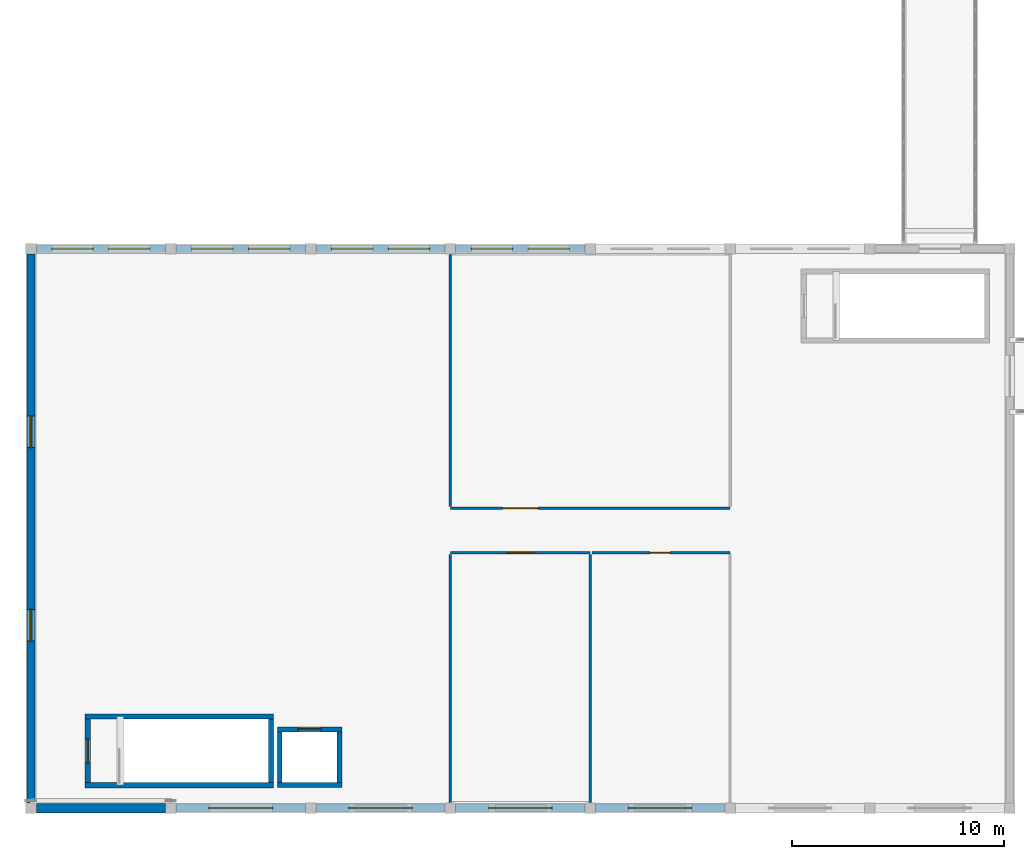
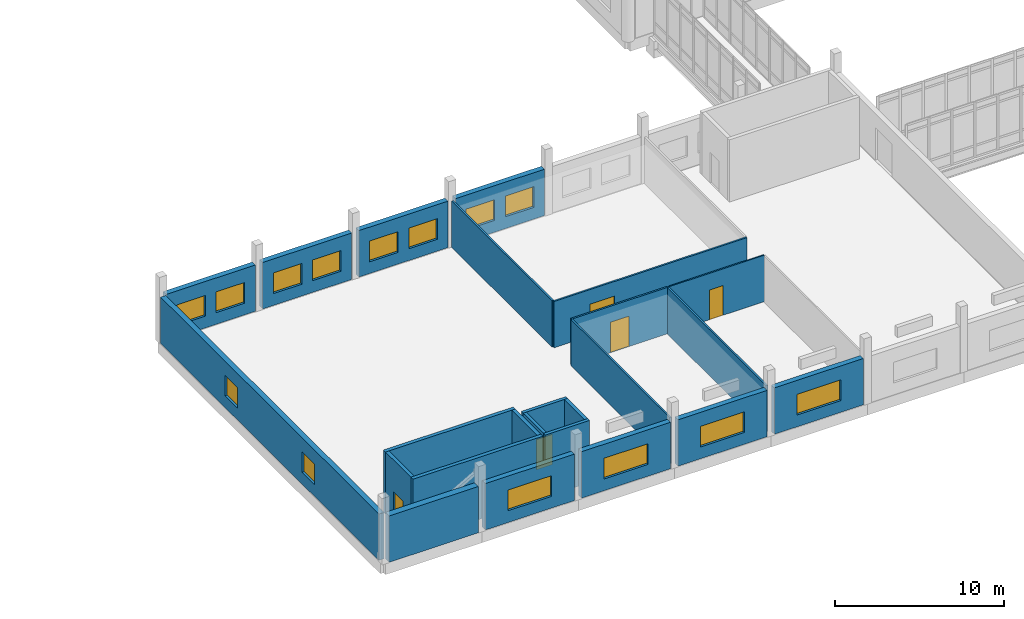
# One storey, part 65 of 101: 24 walls, 14 windows, 5 doors, 19 openings.
"""IFC4 building model written with IfcOpenShell, lengths in metres."""

from ifc_helpers import new_model, si_unit, direction, frame, frame_2d, origin, place, context, subcontext, project, spatial, rectangle, extrude, material, layer, layer_set, type_object, element, fill, save


model = new_model("IFC4")

# Units and contexts
model_context = context("Model", 3, precision=1e-05, world=origin(), true_north=direction((0.0, 1.0)))
body_context = subcontext(model_context, "Body", "Model", "MODEL_VIEW")
ifc_project = project(units=[si_unit("LENGTHUNIT", "METRE"), si_unit("AREAUNIT", "SQUARE_METRE"), si_unit("VOLUMEUNIT", "CUBIC_METRE"), si_unit("PLANEANGLEUNIT", "RADIAN"), si_unit("MASSUNIT", "GRAM", prefix="KILO")], contexts=[model_context])

# Site, building, storey
site_placement = place(None, origin())
site = spatial("IfcSite", under=ifc_project, at=site_placement, CompositionType="ELEMENT")
building_placement = place(site_placement, origin())
building = spatial("IfcBuilding", under=site, at=building_placement, Name="Dornvale Research Institute", CompositionType="ELEMENT")
storey_placement = place(building_placement, frame((0.0, 0.0, 10.199951171875)))
storey = spatial("IfcBuildingStorey", under=building, at=storey_placement, Name="L02", CompositionType="ELEMENT", Elevation=10.199951171875)

# Wall, opening, door
ifc_material_1 = material(Name="Acoustic Insulated Double-Stud Laboratory Partition")
ifc_layer_1 = layer(ifc_material_1, 0.1201171875)
ifc_layer_set_1 = layer_set([ifc_layer_1], Name="Acoustic Insulated Double-Stud Laboratory Partition")
wall_type_1 = type_object("IfcWallType", Name="Partition_Dry_120", PredefinedType="PARTITIONING", material=ifc_layer_set_1)
wall_1_placement = place(storey_placement, frame((19.800048828125, 14.14990234375, 0.0), z_axis=(0.0, 0.0, 1.0), x_axis=(1.0, 0.0, 0.0)))
wall_1 = element("IfcWall", 1, at=wall_1_placement, inside=storey, type_object=wall_type_1, Name="L02 V1 interior partition #317", PredefinedType="PARTITIONING", context=body_context, shape_type="SweptSolid", body=[
    extrude(rectangle(XDim=13.199951171875, YDim=0.1201171875, at=frame_2d((6.60009765625, 0.0))), origin(), (0.0, 0.0, 1.0), 3.360107421875),
])
opening_1_placement = place(wall_1_placement, frame((2.4599609375, 0.0, 0.0)))
opening_1 = element("IfcOpeningElement", 2, at=opening_1_placement, cuts=wall_1, Name="Opening ID-11", PredefinedType="OPENING", context=body_context, shape_type="SweptSolid", body=[
    extrude(rectangle(XDim=1.679931640625, YDim=2.300048828125, at=frame_2d((0.83984375, 1.14990234375))), frame((0.0, 0.074951171875, 0.0), z_axis=(0.0, -1.0, 0.0), x_axis=(1.0, 0.0, 0.0)), (0.0, 0.0, 1.0), 0.150146484375),
])
ifc_material_2 = material(Name="Phenolic-Faced Solid-Core Laboratory Door Assembly")
door_type_1 = type_object("IfcDoorType", Name="Door_Seminar_1680x2300", OperationType="SINGLE_SWING_LEFT", PredefinedType="DOOR", material=ifc_material_2)
door_1_placement = place(opening_1_placement, origin())
door_1 = element("IfcDoor", 3, at=door_1_placement, inside=storey, type_object=door_type_1, Name="L02 Acoustical Symposium Hall door #127", OperationType="DOUBLE_DOOR_SINGLE_SWING", OverallHeight=2.300048828125, OverallWidth=1.679931640625, PredefinedType="DOOR", context=body_context, shape_type="SweptSolid", body=[
    extrude(rectangle(XDim=1.679931640625, YDim=2.300048828125, at=frame_2d((0.83984375, 1.14990234375))), frame((0.0, 0.02490234375, 0.0), z_axis=(0.0, -1.0, 0.0), x_axis=(1.0, 0.0, 0.0)), (0.0, 0.0, 1.0), 0.050048828125),
])
fill(opening_1, door_1)

# Wall
wall_2_placement = place(storey_placement, frame((19.800048828125, 14.22509765625, 0.0), z_axis=(0.0, 0.0, 1.0), x_axis=(0.0, 1.0, 0.0)))
element("IfcWall", 4, at=wall_2_placement, inside=storey, type_object=wall_type_1, Name="L02 V1 interior partition #318", PredefinedType="PARTITIONING", context=body_context, shape_type="SweptSolid", body=[
    extrude(rectangle(XDim=11.90478515625, YDim=0.1201171875, at=frame_2d((5.952392578125, 0.0))), origin(), (0.0, 0.0, 1.0), 3.360107421875),
])

# Wall, opening, door
wall_3_placement = place(storey_placement, frame((19.800048828125, 12.050048828125, 0.0), z_axis=(0.0, 0.0, 1.0), x_axis=(1.0, 0.0, 0.0)))
wall_3 = element("IfcWall", 5, at=wall_3_placement, inside=storey, type_object=wall_type_1, Name="L02 V1 interior partition #320", PredefinedType="PARTITIONING", context=body_context, shape_type="SweptSolid", body=[
    extrude(rectangle(XDim=6.599853515625, YDim=0.1201171875, at=frame_2d((3.2998046875, 0.0))), origin(), (0.0, 0.0, 1.0), 3.360107421875),
])
opening_2_placement = place(wall_3_placement, frame((2.669921875, 0.0, 0.0)))
opening_2 = element("IfcOpeningElement", 6, at=opening_2_placement, cuts=wall_3, Name="Opening ID-10", PredefinedType="OPENING", context=body_context, shape_type="SweptSolid", body=[
    extrude(rectangle(XDim=1.260009765625, YDim=2.199951171875, at=frame_2d((0.6298828125, 1.10009765625))), frame((0.0, 0.074951171875, 0.0), z_axis=(0.0, -1.0, 0.0), x_axis=(1.0, 0.0, 0.0)), (0.0, 0.0, 1.0), 0.150146484375),
])
ifc_material_3 = material(Name="Phenolic-Faced Solid-Core Laboratory Door Assembly")
door_type_2 = type_object("IfcDoorType", Name="Door_DryLab_1260x2200", OperationType="SINGLE_SWING_LEFT", PredefinedType="DOOR", material=ifc_material_3)
door_2_placement = place(opening_2_placement, origin())
door_2 = element("IfcDoor", 7, at=door_2_placement, inside=storey, type_object=door_type_2, Name="L02 Scientific Broadcast and Recording Laboratory door #128", OperationType="SINGLE_SWING_LEFT", OverallHeight=2.199951171875, OverallWidth=1.260009765625, PredefinedType="DOOR", context=body_context, shape_type="SweptSolid", body=[
    extrude(rectangle(XDim=1.260009765625, YDim=2.199951171875, at=frame_2d((0.6298828125, 1.10009765625))), frame((0.0, 0.02490234375, 0.0), z_axis=(0.0, -1.0, 0.0), x_axis=(1.0, 0.0, 0.0)), (0.0, 0.0, 1.0), 0.050048828125),
])
fill(opening_2, door_2)

# Walls
for number, where, z_axis, x_axis, name in (
    (8, (19.800048828125, 0.27001953125, 0.0), (0.0, 0.0, 1.0), (0.0, 1.0, 0.0), "L02 V1 interior partition #321"),
    (9, (26.39990234375, 0.27001953125, 0.0), (0.0, 0.0, 1.0), (0.0, 1.0, 0.0), "L02 V1 interior partition #322"),
):
    element("IfcWall", number, at=place(storey_placement, frame(where, z_axis=z_axis, x_axis=x_axis)), inside=storey, type_object=wall_type_1, Name=name, PredefinedType="PARTITIONING", context=body_context, shape_type="SweptSolid", body=[
        extrude(rectangle(XDim=11.705078125, YDim=0.1201171875, at=frame_2d((5.8525390625, 0.0))), origin(), (0.0, 0.0, 1.0), 3.360107421875),
    ])

# Wall, opening, door
ifc_material_4 = material(Name="Acoustic Insulated Double-Stud Laboratory Partition")
ifc_layer_2 = layer(ifc_material_4, 0.10009765625)
ifc_layer_set_2 = layer_set([ifc_layer_2], Name="Acoustic Insulated Double-Stud Laboratory Partition")
wall_type_2 = type_object("IfcWallType", Name="Partition_Office_100", PredefinedType="PARTITIONING", material=ifc_layer_set_2)
wall_4_placement = place(storey_placement, frame((26.47509765625, 12.050048828125, 0.0), z_axis=(0.0, 0.0, 1.0), x_axis=(1.0, 0.0, 0.0)))
wall_4 = element("IfcWall", 10, at=wall_4_placement, inside=storey, type_object=wall_type_2, Name="L02 V1 interior partition #323", PredefinedType="PARTITIONING", context=body_context, shape_type="SweptSolid", body=[
    extrude(rectangle(XDim=6.52490234375, YDim=0.10009765625, at=frame_2d((3.262451171875, 0.0))), origin(), (0.0, 0.0, 1.0), 3.360107421875),
])
opening_3_placement = place(wall_4_placement, frame((2.75, 0.0, 0.0)))
opening_3 = element("IfcOpeningElement", 11, at=opening_3_placement, cuts=wall_4, Name="Opening ID-23", PredefinedType="OPENING", context=body_context, shape_type="SweptSolid", body=[
    extrude(rectangle(XDim=0.949951171875, YDim=2.14990234375, at=frame_2d((0.47509765625, 1.074951171875))), frame((0.0, 0.06494140625, 0.0), z_axis=(0.0, -1.0, 0.0), x_axis=(1.0, 0.0, 0.0)), (0.0, 0.0, 1.0), 0.130126953125),
])
ifc_material_5 = material(Name="Phenolic-Faced Solid-Core Laboratory Door Assembly")
door_type_3 = type_object("IfcDoorType", Name="Door_WC_950x2150", OperationType="SINGLE_SWING_LEFT", PredefinedType="DOOR", material=ifc_material_5)
door_3_placement = place(opening_3_placement, origin())
door_3 = element("IfcDoor", 12, at=door_3_placement, inside=storey, type_object=door_type_3, Name="L02 Symposium Accessible Restroom L02 door #129", OperationType="SINGLE_SWING_RIGHT", OverallHeight=2.14990234375, OverallWidth=0.949951171875, PredefinedType="DOOR", context=body_context, shape_type="SweptSolid", body=[
    extrude(rectangle(XDim=0.949951171875, YDim=2.14990234375, at=frame_2d((0.47509765625, 1.074951171875))), frame((0.0, 0.02490234375, 0.0), z_axis=(0.0, -1.0, 0.0), x_axis=(1.0, 0.0, 0.0)), (0.0, 0.0, 1.0), 0.050048828125),
])
fill(opening_3, door_3)

# Walls
ifc_material_6 = material(Name="Concrete f'c 45 MPa (C35/45)", Category="concrete")
ifc_layer_3 = layer(ifc_material_6, 0.25)
ifc_layer_set_3 = layer_set([ifc_layer_3], Name="Concrete f'c 45 MPa (C35/45)")
wall_type_3 = type_object("IfcWallType", Name="ShearWall_Core_250", PredefinedType="SHEAR", material=ifc_layer_set_3)
for number, where, z_axis, x_axis, name in (
    (13, (2.550048828125, 1.074951171875, 0.0), (0.0, 0.0, 1.0), (1.0, 0.0, 0.0), "L02 ST-9 shaft shear wall south"),
    (14, (2.550048828125, 4.324951171875, 0.0), (0.0, 0.0, 1.0), (1.0, 0.0, 0.0), "L02 ST-9 shaft shear wall north"),
):
    element("IfcWall", number, at=place(storey_placement, frame(where, z_axis=z_axis, x_axis=x_axis)), inside=storey, type_object=wall_type_3, Name=name, PredefinedType="SHEAR", context=body_context, shape_type="SweptSolid", body=[
        extrude(rectangle(XDim=8.89990234375, YDim=0.25, at=frame_2d((4.449951171875, 0.0))), origin(), (0.0, 0.0, 1.0), 4.5),
    ])

# Wall, opening, door
wall_5_placement = place(storey_placement, frame((2.675048828125, 1.199951171875, 0.0), z_axis=(0.0, 0.0, 1.0), x_axis=(0.0, 1.0, 0.0)))
wall_5 = element("IfcWall", 15, at=wall_5_placement, inside=storey, type_object=wall_type_3, Name="L02 ST-9 shaft shear wall west", PredefinedType="SHEAR", context=body_context, shape_type="SweptSolid", body=[
    extrude(rectangle(XDim=3.0, YDim=0.25, at=frame_2d((1.5, 0.0))), origin(), (0.0, 0.0, 1.0), 4.5),
])
opening_4_placement = place(wall_5_placement, frame((0.93994140625, 0.0, 0.0)))
opening_4 = element("IfcOpeningElement", 16, at=opening_4_placement, cuts=wall_5, Name="Opening SD-01", PredefinedType="OPENING", context=body_context, shape_type="SweptSolid", body=[
    extrude(rectangle(XDim=1.1201171875, YDim=2.199951171875, at=frame_2d((0.56005859375, 1.10009765625))), frame((0.0, 0.139892578125, 0.0), z_axis=(0.0, -1.0, 0.0), x_axis=(1.0, 0.0, 0.0)), (0.0, 0.0, 1.0), 0.280029296875),
])
ifc_material_7 = material(Name="Insulated Fire-Rated Hollow Metal Door Assembly")
door_type_4 = type_object("IfcDoorType", Name="Door_Stair_1120x2200", OperationType="SINGLE_SWING_LEFT", PredefinedType="DOOR", material=ifc_material_7)
door_4_placement = place(opening_4_placement, origin())
door_4 = element("IfcDoor", 17, at=door_4_placement, inside=storey, type_object=door_type_4, Name="L02 ST-9 exit stair door #61", OperationType="SINGLE_SWING_RIGHT", OverallHeight=2.199951171875, OverallWidth=1.1201171875, PredefinedType="DOOR", context=body_context, shape_type="SweptSolid", body=[
    extrude(rectangle(XDim=1.1201171875, YDim=2.199951171875, at=frame_2d((0.56005859375, 1.10009765625))), frame((0.0, 0.02490234375, 0.0), z_axis=(0.0, -1.0, 0.0), x_axis=(1.0, 0.0, 0.0)), (0.0, 0.0, 1.0), 0.050048828125),
])
fill(opening_4, door_4)

# Walls
wall_6_placement = place(storey_placement, frame((11.324951171875, 1.199951171875, 0.0), z_axis=(0.0, 0.0, 1.0), x_axis=(0.0, 1.0, 0.0)))
element("IfcWall", 18, at=wall_6_placement, inside=storey, type_object=wall_type_3, Name="L02 ST-9 shaft shear wall east", PredefinedType="SHEAR", context=body_context, shape_type="SweptSolid", body=[
    extrude(rectangle(XDim=3.0, YDim=0.25, at=frame_2d((1.5, 0.0))), origin(), (0.0, 0.0, 1.0), 4.5),
])
ifc_material_8 = material(Name="Concrete f'c 45 MPa (C35/45)", Category="concrete")
ifc_layer_4 = layer(ifc_material_8, 0.219970703125)
ifc_layer_set_4 = layer_set([ifc_layer_4], Name="Concrete f'c 45 MPa (C35/45)")
wall_type_4 = type_object("IfcWallType", Name="ShearWall_Shaft_220", PredefinedType="SHEAR", material=ifc_layer_set_4)
wall_7_placement = place(storey_placement, frame((11.6298828125, 1.090087890625, 0.0), z_axis=(0.0, 0.0, 1.0), x_axis=(1.0, 0.0, 0.0)))
element("IfcWall", 19, at=wall_7_placement, inside=storey, type_object=wall_type_4, Name="L02 LP4 elevator shaft wall south", PredefinedType="SHEAR", context=body_context, shape_type="SweptSolid", body=[
    extrude(rectangle(XDim=3.0400390625, YDim=0.219970703125, at=frame_2d((1.52001953125, 0.0))), origin(), (0.0, 0.0, 1.0), 4.5),
])

# Wall, opening, door
wall_8_placement = place(storey_placement, frame((11.6298828125, 3.7099609375, 0.0), z_axis=(0.0, 0.0, 1.0), x_axis=(1.0, 0.0, 0.0)))
wall_8 = element("IfcWall", 20, at=wall_8_placement, inside=storey, type_object=wall_type_4, Name="L02 LP4 elevator shaft wall north", PredefinedType="SHEAR", context=body_context, shape_type="SweptSolid", body=[
    extrude(rectangle(XDim=3.0400390625, YDim=0.219970703125, at=frame_2d((1.52001953125, 0.0))), origin(), (0.0, 0.0, 1.0), 4.5),
])
opening_5_placement = place(wall_8_placement, frame((0.969970703125, 0.0, 0.0)))
opening_5 = element("IfcOpeningElement", 21, at=opening_5_placement, cuts=wall_8, Name="Opening LD-02", PredefinedType="OPENING", context=body_context, shape_type="SweptSolid", body=[
    extrude(rectangle(XDim=1.10009765625, YDim=2.199951171875, at=frame_2d((0.550048828125, 1.10009765625))), frame((0.0, 0.125, 0.0), z_axis=(0.0, -1.0, 0.0), x_axis=(1.0, 0.0, 0.0)), (0.0, 0.0, 1.0), 0.25),
])
ifc_material_9 = material(Name="Brushed Stainless Steel Sliding Elevator Landing Door", Category="steel")
door_type_5 = type_object("IfcDoorType", Name="Door_LiftLanding_Pass_1100x2200", OperationType="SINGLE_SWING_LEFT", PredefinedType="DOOR", material=ifc_material_9)
door_5_placement = place(opening_5_placement, origin())
door_5 = element("IfcDoor", 22, at=door_5_placement, inside=storey, type_object=door_type_5, Name="L02 LP4 sliding elevator landing door #64", OperationType="SLIDING_TO_LEFT", OverallHeight=2.199951171875, OverallWidth=1.10009765625, PredefinedType="DOOR", context=body_context, shape_type="SweptSolid", body=[
    extrude(rectangle(XDim=1.10009765625, YDim=2.199951171875, at=frame_2d((0.550048828125, 1.10009765625))), frame((0.0, 0.02490234375, 0.0), z_axis=(0.0, -1.0, 0.0), x_axis=(1.0, 0.0, 0.0)), (0.0, 0.0, 1.0), 0.050048828125),
])
fill(opening_5, door_5)

# Walls
for number, where, z_axis, x_axis, name in (
    (23, (11.739990234375, 1.199951171875, 0.0), (0.0, 0.0, 1.0), (0.0, 1.0, 0.0), "L02 LP4 elevator shaft wall west"),
    (24, (14.56005859375, 1.199951171875, 0.0), (0.0, 0.0, 1.0), (0.0, 1.0, 0.0), "L02 LP4 elevator shaft wall east"),
):
    element("IfcWall", number, at=place(storey_placement, frame(where, z_axis=z_axis, x_axis=x_axis)), inside=storey, type_object=wall_type_4, Name=name, PredefinedType="SHEAR", context=body_context, shape_type="SweptSolid", body=[
        extrude(rectangle(XDim=2.400146484375, YDim=0.219970703125, at=frame_2d((1.2001953125, 0.0))), origin(), (0.0, 0.0, 1.0), 4.5),
    ])
ifc_material_10 = material(Name="Precast Concrete f'c 40 MPa (C32/40) and Glazed Terracotta Backup Wall", Category="masonry")
ifc_layer_5 = layer(ifc_material_10, 0.449951171875)
ifc_layer_set_5 = layer_set([ifc_layer_5], Name="Precast Concrete f'c 40 MPa (C32/40) and Glazed Terracotta Backup Wall")
wall_type_5 = type_object("IfcWallType", Name="SolidWall_ShearBraceBay_450", PredefinedType="SOLIDWALL", material=ifc_layer_set_5)
wall_9_placement = place(storey_placement, frame((6.35009765625, 0.0, 0.0), z_axis=(0.0, 0.0, 1.0), x_axis=(-1.0, 0.0, 0.0)))
element("IfcWall", 25, at=wall_9_placement, inside=storey, type_object=wall_type_5, Name="L02 V1 south exterior wall #48", PredefinedType="SOLIDWALL", context=body_context, shape_type="SweptSolid", body=[
    extrude(rectangle(XDim=6.10009765625, YDim=0.449951171875, at=frame_2d((3.050048828125, 0.0))), origin(), (0.0, 0.0, 1.0), 3.360107421875),
])

# Wall, openings, windows
ifc_material_11 = material(Name="Catalan Pressed Brick and Insulated Cavity Assembly", Category="masonry")
ifc_layer_6 = layer(ifc_material_11, 0.360107421875)
ifc_layer_set_6 = layer_set([ifc_layer_6], Name="Catalan Pressed Brick and Insulated Cavity Assembly")
wall_type_6 = type_object("IfcWallType", Name="StandardWall_BrickCavity_360", PredefinedType="STANDARD", material=ifc_layer_set_6)
wall_10_placement = place(storey_placement, frame((0.0, 0.25, 0.0), z_axis=(0.0, 0.0, 1.0), x_axis=(0.0, 1.0, 0.0)))
wall_10 = element("IfcWall", 26, at=wall_10_placement, inside=storey, type_object=wall_type_6, Name="L02 V1 west exterior wall #33", PredefinedType="STANDARD", context=body_context, shape_type="SweptSolid", body=[
    extrude(rectangle(XDim=25.89990234375, YDim=0.360107421875, at=frame_2d((12.949951171875, 0.0))), origin(), (0.0, 0.0, 1.0), 3.360107421875),
])
opening_6_placement = place(wall_10_placement, frame((7.63330078125, 0.0, 0.85009765625)))
opening_6 = element("IfcOpeningElement", 27, at=opening_6_placement, cuts=wall_10, Name="Opening W-03", PredefinedType="OPENING", context=body_context, shape_type="SweptSolid", body=[
    extrude(rectangle(XDim=1.5, YDim=1.5, at=frame_2d((0.75, 0.75))), frame((0.0, 0.195068359375, 0.0), z_axis=(0.0, -1.0, 0.0), x_axis=(1.0, 0.0, 0.0)), (0.0, 0.0, 1.0), 0.39013671875),
])
opening_7_placement = place(wall_10_placement, frame((16.7666015625, 0.0, 0.85009765625)))
opening_7 = element("IfcOpeningElement", 28, at=opening_7_placement, cuts=wall_10, Name="Opening W-03", PredefinedType="OPENING", context=body_context, shape_type="SweptSolid", body=[
    extrude(rectangle(XDim=1.5, YDim=1.5, at=frame_2d((0.75, 0.75))), frame((0.0, 0.195068359375, 0.0), z_axis=(0.0, -1.0, 0.0), x_axis=(1.0, 0.0, 0.0)), (0.0, 0.0, 1.0), 0.39013671875),
])
ifc_material_12 = material(Name="Low-E Argon Double Insulating Glazing Unit", Category="glass")
window_type_1 = type_object("IfcWindowType", Name="Window_Alu_1500x1500_03", PartitioningType="SINGLE_PANEL", PredefinedType="WINDOW", material=ifc_material_12)
window_1_placement = place(opening_6_placement, origin())
window_1 = element("IfcWindow", 29, at=window_1_placement, inside=storey, type_object=window_type_1, Name="L02 V1 facade window W-03 #43", OverallHeight=1.5, OverallWidth=1.5, PartitioningType="SINGLE_PANEL", PredefinedType="WINDOW", context=body_context, shape_type="SweptSolid", body=[
    extrude(rectangle(XDim=1.5, YDim=1.5, at=frame_2d((0.75, 0.75))), frame((0.0, 0.030029296875, 0.0), z_axis=(0.0, -1.0, 0.0), x_axis=(1.0, 0.0, 0.0)), (0.0, 0.0, 1.0), 0.06005859375),
])
fill(opening_6, window_1)
window_2_placement = place(opening_7_placement, origin())
window_2 = element("IfcWindow", 30, at=window_2_placement, inside=storey, type_object=window_type_1, Name="L02 V1 facade window W-03 #44", OverallHeight=1.5, OverallWidth=1.5, PartitioningType="SINGLE_PANEL", PredefinedType="WINDOW", context=body_context, shape_type="SweptSolid", body=[
    extrude(rectangle(XDim=1.5, YDim=1.5, at=frame_2d((0.75, 0.75))), frame((0.0, 0.030029296875, 0.0), z_axis=(0.0, -1.0, 0.0), x_axis=(1.0, 0.0, 0.0)), (0.0, 0.0, 1.0), 0.06005859375),
])
fill(opening_7, window_2)

wall_11_placement = place(storey_placement, frame((0.25, 26.39990234375, 0.0), z_axis=(0.0, 0.0, 1.0), x_axis=(1.0, 0.0, 0.0)))
wall_11 = element("IfcWall", 31, at=wall_11_placement, inside=storey, type_object=wall_type_6, Name="L02 V1 north exterior wall #34", PredefinedType="STANDARD", context=body_context, shape_type="SweptSolid", body=[
    extrude(rectangle(XDim=6.10009765625, YDim=0.360107421875, at=frame_2d((3.050048828125, 0.0))), origin(), (0.0, 0.0, 1.0), 3.360107421875),
])
opening_8_placement = place(wall_11_placement, frame((0.7333984375, 0.0, 0.85009765625)))
opening_8 = element("IfcOpeningElement", 32, at=opening_8_placement, cuts=wall_11, Name="Opening W-06", PredefinedType="OPENING", context=body_context, shape_type="SweptSolid", body=[
    extrude(rectangle(XDim=1.949951171875, YDim=1.5, at=frame_2d((0.97509765625, 0.75))), frame((0.0, 0.195068359375, 0.0), z_axis=(0.0, -1.0, 0.0), x_axis=(1.0, 0.0, 0.0)), (0.0, 0.0, 1.0), 0.39013671875),
])
opening_9_placement = place(wall_11_placement, frame((3.41650390625, 0.0, 0.85009765625)))
opening_9 = element("IfcOpeningElement", 33, at=opening_9_placement, cuts=wall_11, Name="Opening W-06", PredefinedType="OPENING", context=body_context, shape_type="SweptSolid", body=[
    extrude(rectangle(XDim=1.949951171875, YDim=1.5, at=frame_2d((0.97509765625, 0.75))), frame((0.0, 0.195068359375, 0.0), z_axis=(0.0, -1.0, 0.0), x_axis=(1.0, 0.0, 0.0)), (0.0, 0.0, 1.0), 0.39013671875),
])
ifc_material_13 = material(Name="Low-E Argon Double Insulating Glazing Unit", Category="glass")
window_type_2 = type_object("IfcWindowType", Name="Window_Alu_1950x1500_06", PartitioningType="DOUBLE_PANEL_VERTICAL", PredefinedType="WINDOW", material=ifc_material_13)
window_3_placement = place(opening_8_placement, origin())
window_3 = element("IfcWindow", 34, at=window_3_placement, inside=storey, type_object=window_type_2, Name="L02 V1 facade window W-06 #45", OverallHeight=1.5, OverallWidth=1.949951171875, PartitioningType="DOUBLE_PANEL_VERTICAL", PredefinedType="WINDOW", context=body_context, shape_type="SweptSolid", body=[
    extrude(rectangle(XDim=1.949951171875, YDim=1.5, at=frame_2d((0.97509765625, 0.75))), frame((0.0, 0.030029296875, 0.0), z_axis=(0.0, -1.0, 0.0), x_axis=(1.0, 0.0, 0.0)), (0.0, 0.0, 1.0), 0.06005859375),
])
fill(opening_8, window_3)
window_4_placement = place(opening_9_placement, origin())
window_4 = element("IfcWindow", 35, at=window_4_placement, inside=storey, type_object=window_type_2, Name="L02 V1 facade window W-06 #46", OverallHeight=1.5, OverallWidth=1.949951171875, PartitioningType="DOUBLE_PANEL_VERTICAL", PredefinedType="WINDOW", context=body_context, shape_type="SweptSolid", body=[
    extrude(rectangle(XDim=1.949951171875, YDim=1.5, at=frame_2d((0.97509765625, 0.75))), frame((0.0, 0.030029296875, 0.0), z_axis=(0.0, -1.0, 0.0), x_axis=(1.0, 0.0, 0.0)), (0.0, 0.0, 1.0), 0.06005859375),
])
fill(opening_9, window_4)

wall_12_placement = place(storey_placement, frame((6.85009765625, 26.39990234375, 0.0), z_axis=(0.0, 0.0, 1.0), x_axis=(1.0, 0.0, 0.0)))
wall_12 = element("IfcWall", 36, at=wall_12_placement, inside=storey, type_object=wall_type_6, Name="L02 V1 north exterior wall #35", PredefinedType="STANDARD", context=body_context, shape_type="SweptSolid", body=[
    extrude(rectangle(XDim=6.099853515625, YDim=0.360107421875, at=frame_2d((3.0498046875, 0.0))), origin(), (0.0, 0.0, 1.0), 3.360107421875),
])
opening_10_placement = place(wall_12_placement, frame((0.7333984375, 0.0, 0.85009765625)))
opening_10 = element("IfcOpeningElement", 37, at=opening_10_placement, cuts=wall_12, Name="Opening W-06", PredefinedType="OPENING", context=body_context, shape_type="SweptSolid", body=[
    extrude(rectangle(XDim=1.949951171875, YDim=1.5, at=frame_2d((0.97509765625, 0.75))), frame((0.0, 0.195068359375, 0.0), z_axis=(0.0, -1.0, 0.0), x_axis=(1.0, 0.0, 0.0)), (0.0, 0.0, 1.0), 0.39013671875),
])
opening_11_placement = place(wall_12_placement, frame((3.41650390625, 0.0, 0.85009765625)))
opening_11 = element("IfcOpeningElement", 38, at=opening_11_placement, cuts=wall_12, Name="Opening W-06", PredefinedType="OPENING", context=body_context, shape_type="SweptSolid", body=[
    extrude(rectangle(XDim=1.949951171875, YDim=1.5, at=frame_2d((0.97509765625, 0.75))), frame((0.0, 0.195068359375, 0.0), z_axis=(0.0, -1.0, 0.0), x_axis=(1.0, 0.0, 0.0)), (0.0, 0.0, 1.0), 0.39013671875),
])
window_5_placement = place(opening_10_placement, origin())
window_5 = element("IfcWindow", 39, at=window_5_placement, inside=storey, type_object=window_type_2, Name="L02 V1 facade window W-06 #47", OverallHeight=1.5, OverallWidth=1.949951171875, PartitioningType="DOUBLE_PANEL_VERTICAL", PredefinedType="WINDOW", context=body_context, shape_type="SweptSolid", body=[
    extrude(rectangle(XDim=1.949951171875, YDim=1.5, at=frame_2d((0.97509765625, 0.75))), frame((0.0, 0.030029296875, 0.0), z_axis=(0.0, -1.0, 0.0), x_axis=(1.0, 0.0, 0.0)), (0.0, 0.0, 1.0), 0.06005859375),
])
fill(opening_10, window_5)
window_6_placement = place(opening_11_placement, origin())
window_6 = element("IfcWindow", 40, at=window_6_placement, inside=storey, type_object=window_type_2, Name="L02 V1 facade window W-06 #48", OverallHeight=1.5, OverallWidth=1.949951171875, PartitioningType="DOUBLE_PANEL_VERTICAL", PredefinedType="WINDOW", context=body_context, shape_type="SweptSolid", body=[
    extrude(rectangle(XDim=1.949951171875, YDim=1.5, at=frame_2d((0.97509765625, 0.75))), frame((0.0, 0.030029296875, 0.0), z_axis=(0.0, -1.0, 0.0), x_axis=(1.0, 0.0, 0.0)), (0.0, 0.0, 1.0), 0.06005859375),
])
fill(opening_11, window_6)

wall_13_placement = place(storey_placement, frame((13.449951171875, 26.39990234375, 0.0), z_axis=(0.0, 0.0, 1.0), x_axis=(1.0, 0.0, 0.0)))
wall_13 = element("IfcWall", 41, at=wall_13_placement, inside=storey, type_object=wall_type_6, Name="L02 V1 north exterior wall #36", PredefinedType="STANDARD", context=body_context, shape_type="SweptSolid", body=[
    extrude(rectangle(XDim=6.10009765625, YDim=0.360107421875, at=frame_2d((3.050048828125, 0.0))), origin(), (0.0, 0.0, 1.0), 3.360107421875),
])
opening_12_placement = place(wall_13_placement, frame((0.7333984375, 0.0, 0.85009765625)))
opening_12 = element("IfcOpeningElement", 42, at=opening_12_placement, cuts=wall_13, Name="Opening W-06", PredefinedType="OPENING", context=body_context, shape_type="SweptSolid", body=[
    extrude(rectangle(XDim=1.949951171875, YDim=1.5, at=frame_2d((0.97509765625, 0.75))), frame((0.0, 0.195068359375, 0.0), z_axis=(0.0, -1.0, 0.0), x_axis=(1.0, 0.0, 0.0)), (0.0, 0.0, 1.0), 0.39013671875),
])
opening_13_placement = place(wall_13_placement, frame((3.41650390625, 0.0, 0.85009765625)))
opening_13 = element("IfcOpeningElement", 43, at=opening_13_placement, cuts=wall_13, Name="Opening W-06", PredefinedType="OPENING", context=body_context, shape_type="SweptSolid", body=[
    extrude(rectangle(XDim=1.949951171875, YDim=1.5, at=frame_2d((0.97509765625, 0.75))), frame((0.0, 0.195068359375, 0.0), z_axis=(0.0, -1.0, 0.0), x_axis=(1.0, 0.0, 0.0)), (0.0, 0.0, 1.0), 0.39013671875),
])
window_7_placement = place(opening_12_placement, origin())
window_7 = element("IfcWindow", 44, at=window_7_placement, inside=storey, type_object=window_type_2, Name="L02 V1 facade window W-06 #49", OverallHeight=1.5, OverallWidth=1.949951171875, PartitioningType="DOUBLE_PANEL_VERTICAL", PredefinedType="WINDOW", context=body_context, shape_type="SweptSolid", body=[
    extrude(rectangle(XDim=1.949951171875, YDim=1.5, at=frame_2d((0.97509765625, 0.75))), frame((0.0, 0.030029296875, 0.0), z_axis=(0.0, -1.0, 0.0), x_axis=(1.0, 0.0, 0.0)), (0.0, 0.0, 1.0), 0.06005859375),
])
fill(opening_12, window_7)
window_8_placement = place(opening_13_placement, origin())
window_8 = element("IfcWindow", 45, at=window_8_placement, inside=storey, type_object=window_type_2, Name="L02 V1 facade window W-06 #50", OverallHeight=1.5, OverallWidth=1.949951171875, PartitioningType="DOUBLE_PANEL_VERTICAL", PredefinedType="WINDOW", context=body_context, shape_type="SweptSolid", body=[
    extrude(rectangle(XDim=1.949951171875, YDim=1.5, at=frame_2d((0.97509765625, 0.75))), frame((0.0, 0.030029296875, 0.0), z_axis=(0.0, -1.0, 0.0), x_axis=(1.0, 0.0, 0.0)), (0.0, 0.0, 1.0), 0.06005859375),
])
fill(opening_13, window_8)

wall_14_placement = place(storey_placement, frame((20.050048828125, 26.39990234375, 0.0), z_axis=(0.0, 0.0, 1.0), x_axis=(1.0, 0.0, 0.0)))
wall_14 = element("IfcWall", 46, at=wall_14_placement, inside=storey, type_object=wall_type_6, Name="L02 V1 north exterior wall #37", PredefinedType="STANDARD", context=body_context, shape_type="SweptSolid", body=[
    extrude(rectangle(XDim=6.099853515625, YDim=0.360107421875, at=frame_2d((3.0498046875, 0.0))), origin(), (0.0, 0.0, 1.0), 3.360107421875),
])
opening_14_placement = place(wall_14_placement, frame((0.7333984375, 0.0, 0.85009765625)))
opening_14 = element("IfcOpeningElement", 47, at=opening_14_placement, cuts=wall_14, Name="Opening W-06", PredefinedType="OPENING", context=body_context, shape_type="SweptSolid", body=[
    extrude(rectangle(XDim=1.949951171875, YDim=1.5, at=frame_2d((0.97509765625, 0.75))), frame((0.0, 0.195068359375, 0.0), z_axis=(0.0, -1.0, 0.0), x_axis=(1.0, 0.0, 0.0)), (0.0, 0.0, 1.0), 0.39013671875),
])
opening_15_placement = place(wall_14_placement, frame((3.41650390625, 0.0, 0.85009765625)))
opening_15 = element("IfcOpeningElement", 48, at=opening_15_placement, cuts=wall_14, Name="Opening W-06", PredefinedType="OPENING", context=body_context, shape_type="SweptSolid", body=[
    extrude(rectangle(XDim=1.949951171875, YDim=1.5, at=frame_2d((0.97509765625, 0.75))), frame((0.0, 0.195068359375, 0.0), z_axis=(0.0, -1.0, 0.0), x_axis=(1.0, 0.0, 0.0)), (0.0, 0.0, 1.0), 0.39013671875),
])
window_9_placement = place(opening_14_placement, origin())
window_9 = element("IfcWindow", 49, at=window_9_placement, inside=storey, type_object=window_type_2, Name="L02 V1 facade window W-06 #51", OverallHeight=1.5, OverallWidth=1.949951171875, PartitioningType="DOUBLE_PANEL_VERTICAL", PredefinedType="WINDOW", context=body_context, shape_type="SweptSolid", body=[
    extrude(rectangle(XDim=1.949951171875, YDim=1.5, at=frame_2d((0.97509765625, 0.75))), frame((0.0, 0.030029296875, 0.0), z_axis=(0.0, -1.0, 0.0), x_axis=(1.0, 0.0, 0.0)), (0.0, 0.0, 1.0), 0.06005859375),
])
fill(opening_14, window_9)
window_10_placement = place(opening_15_placement, origin())
window_10 = element("IfcWindow", 50, at=window_10_placement, inside=storey, type_object=window_type_2, Name="L02 V1 facade window W-06 #52", OverallHeight=1.5, OverallWidth=1.949951171875, PartitioningType="DOUBLE_PANEL_VERTICAL", PredefinedType="WINDOW", context=body_context, shape_type="SweptSolid", body=[
    extrude(rectangle(XDim=1.949951171875, YDim=1.5, at=frame_2d((0.97509765625, 0.75))), frame((0.0, 0.030029296875, 0.0), z_axis=(0.0, -1.0, 0.0), x_axis=(1.0, 0.0, 0.0)), (0.0, 0.0, 1.0), 0.06005859375),
])
fill(opening_15, window_10)

# Wall, opening, window
wall_15_placement = place(storey_placement, frame((32.75, 0.0, 0.0), z_axis=(0.0, 0.0, 1.0), x_axis=(-1.0, 0.0, 0.0)))
wall_15 = element("IfcWall", 51, at=wall_15_placement, inside=storey, type_object=wall_type_6, Name="L02 V1 south exterior wall #44", PredefinedType="STANDARD", context=body_context, shape_type="SweptSolid", body=[
    extrude(rectangle(XDim=6.10009765625, YDim=0.360107421875, at=frame_2d((3.050048828125, 0.0))), origin(), (0.0, 0.0, 1.0), 3.360107421875),
])
opening_16_placement = place(wall_15_placement, frame((1.550048828125, 0.0, 0.85009765625)))
opening_16 = element("IfcOpeningElement", 52, at=opening_16_placement, cuts=wall_15, Name="Opening W-12", PredefinedType="OPENING", context=body_context, shape_type="SweptSolid", body=[
    extrude(rectangle(XDim=3.0, YDim=1.5, at=frame_2d((1.5, 0.75))), frame((0.0, 0.195068359375, 0.0), z_axis=(0.0, -1.0, 0.0), x_axis=(1.0, 0.0, 0.0)), (0.0, 0.0, 1.0), 0.39013671875),
])
ifc_material_14 = material(Name="Low-E Argon Double Insulating Glazing Unit", Category="glass")
window_type_3 = type_object("IfcWindowType", Name="Window_Alu_3000x1500_12", PartitioningType="DOUBLE_PANEL_VERTICAL", PredefinedType="WINDOW", material=ifc_material_14)
window_11_placement = place(opening_16_placement, origin())
window_11 = element("IfcWindow", 53, at=window_11_placement, inside=storey, type_object=window_type_3, Name="L02 V1 facade window W-12 #59", OverallHeight=1.5, OverallWidth=3.0, PartitioningType="DOUBLE_PANEL_VERTICAL", PredefinedType="WINDOW", context=body_context, shape_type="SweptSolid", body=[
    extrude(rectangle(XDim=3.0, YDim=1.5, at=frame_2d((1.5, 0.75))), frame((0.0, 0.030029296875, 0.0), z_axis=(0.0, -1.0, 0.0), x_axis=(1.0, 0.0, 0.0)), (0.0, 0.0, 1.0), 0.06005859375),
])
fill(opening_16, window_11)

wall_16_placement = place(storey_placement, frame((26.14990234375, 0.0, 0.0), z_axis=(0.0, 0.0, 1.0), x_axis=(-1.0, 0.0, 0.0)))
wall_16 = element("IfcWall", 54, at=wall_16_placement, inside=storey, type_object=wall_type_6, Name="L02 V1 south exterior wall #45", PredefinedType="STANDARD", context=body_context, shape_type="SweptSolid", body=[
    extrude(rectangle(XDim=6.099853515625, YDim=0.360107421875, at=frame_2d((3.0498046875, 0.0))), origin(), (0.0, 0.0, 1.0), 3.360107421875),
])
opening_17_placement = place(wall_16_placement, frame((1.550048828125, 0.0, 0.85009765625)))
opening_17 = element("IfcOpeningElement", 55, at=opening_17_placement, cuts=wall_16, Name="Opening W-12", PredefinedType="OPENING", context=body_context, shape_type="SweptSolid", body=[
    extrude(rectangle(XDim=3.0, YDim=1.5, at=frame_2d((1.5, 0.75))), frame((0.0, 0.195068359375, 0.0), z_axis=(0.0, -1.0, 0.0), x_axis=(1.0, 0.0, 0.0)), (0.0, 0.0, 1.0), 0.39013671875),
])
window_12_placement = place(opening_17_placement, origin())
window_12 = element("IfcWindow", 56, at=window_12_placement, inside=storey, type_object=window_type_3, Name="L02 V1 facade window W-12 #60", OverallHeight=1.5, OverallWidth=3.0, PartitioningType="DOUBLE_PANEL_VERTICAL", PredefinedType="WINDOW", context=body_context, shape_type="SweptSolid", body=[
    extrude(rectangle(XDim=3.0, YDim=1.5, at=frame_2d((1.5, 0.75))), frame((0.0, 0.030029296875, 0.0), z_axis=(0.0, -1.0, 0.0), x_axis=(1.0, 0.0, 0.0)), (0.0, 0.0, 1.0), 0.06005859375),
])
fill(opening_17, window_12)

wall_17_placement = place(storey_placement, frame((19.550048828125, 0.0, 0.0), z_axis=(0.0, 0.0, 1.0), x_axis=(-1.0, 0.0, 0.0)))
wall_17 = element("IfcWall", 57, at=wall_17_placement, inside=storey, type_object=wall_type_6, Name="L02 V1 south exterior wall #46", PredefinedType="STANDARD", context=body_context, shape_type="SweptSolid", body=[
    extrude(rectangle(XDim=6.10009765625, YDim=0.360107421875, at=frame_2d((3.050048828125, 0.0))), origin(), (0.0, 0.0, 1.0), 3.360107421875),
])
opening_18_placement = place(wall_17_placement, frame((1.550048828125, 0.0, 0.85009765625)))
opening_18 = element("IfcOpeningElement", 58, at=opening_18_placement, cuts=wall_17, Name="Opening W-12", PredefinedType="OPENING", context=body_context, shape_type="SweptSolid", body=[
    extrude(rectangle(XDim=3.0, YDim=1.5, at=frame_2d((1.5, 0.75))), frame((0.0, 0.195068359375, 0.0), z_axis=(0.0, -1.0, 0.0), x_axis=(1.0, 0.0, 0.0)), (0.0, 0.0, 1.0), 0.39013671875),
])
window_13_placement = place(opening_18_placement, origin())
window_13 = element("IfcWindow", 59, at=window_13_placement, inside=storey, type_object=window_type_3, Name="L02 V1 facade window W-12 #61", OverallHeight=1.5, OverallWidth=3.0, PartitioningType="DOUBLE_PANEL_VERTICAL", PredefinedType="WINDOW", context=body_context, shape_type="SweptSolid", body=[
    extrude(rectangle(XDim=3.0, YDim=1.5, at=frame_2d((1.5, 0.75))), frame((0.0, 0.030029296875, 0.0), z_axis=(0.0, -1.0, 0.0), x_axis=(1.0, 0.0, 0.0)), (0.0, 0.0, 1.0), 0.06005859375),
])
fill(opening_18, window_13)

wall_18_placement = place(storey_placement, frame((12.949951171875, 0.0, 0.0), z_axis=(0.0, 0.0, 1.0), x_axis=(-1.0, 0.0, 0.0)))
wall_18 = element("IfcWall", 60, at=wall_18_placement, inside=storey, type_object=wall_type_6, Name="L02 V1 south exterior wall #47", PredefinedType="STANDARD", context=body_context, shape_type="SweptSolid", body=[
    extrude(rectangle(XDim=6.099853515625, YDim=0.360107421875, at=frame_2d((3.0498046875, 0.0))), origin(), (0.0, 0.0, 1.0), 3.360107421875),
])
opening_19_placement = place(wall_18_placement, frame((1.550048828125, 0.0, 0.85009765625)))
opening_19 = element("IfcOpeningElement", 61, at=opening_19_placement, cuts=wall_18, Name="Opening W-12", PredefinedType="OPENING", context=body_context, shape_type="SweptSolid", body=[
    extrude(rectangle(XDim=3.0, YDim=1.5, at=frame_2d((1.5, 0.75))), frame((0.0, 0.195068359375, 0.0), z_axis=(0.0, -1.0, 0.0), x_axis=(1.0, 0.0, 0.0)), (0.0, 0.0, 1.0), 0.39013671875),
])
window_14_placement = place(opening_19_placement, origin())
window_14 = element("IfcWindow", 62, at=window_14_placement, inside=storey, type_object=window_type_3, Name="L02 V1 facade window W-12 #62", OverallHeight=1.5, OverallWidth=3.0, PartitioningType="DOUBLE_PANEL_VERTICAL", PredefinedType="WINDOW", context=body_context, shape_type="SweptSolid", body=[
    extrude(rectangle(XDim=3.0, YDim=1.5, at=frame_2d((1.5, 0.75))), frame((0.0, 0.030029296875, 0.0), z_axis=(0.0, -1.0, 0.0), x_axis=(1.0, 0.0, 0.0)), (0.0, 0.0, 1.0), 0.06005859375),
])
fill(opening_19, window_14)

save(model, "model.ifc")
